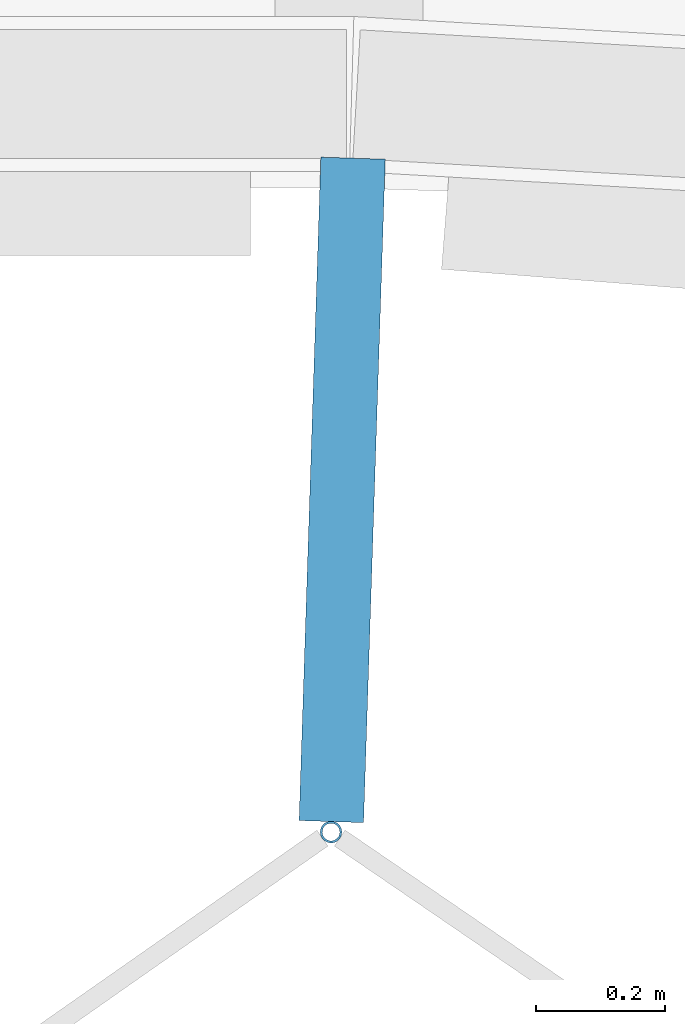
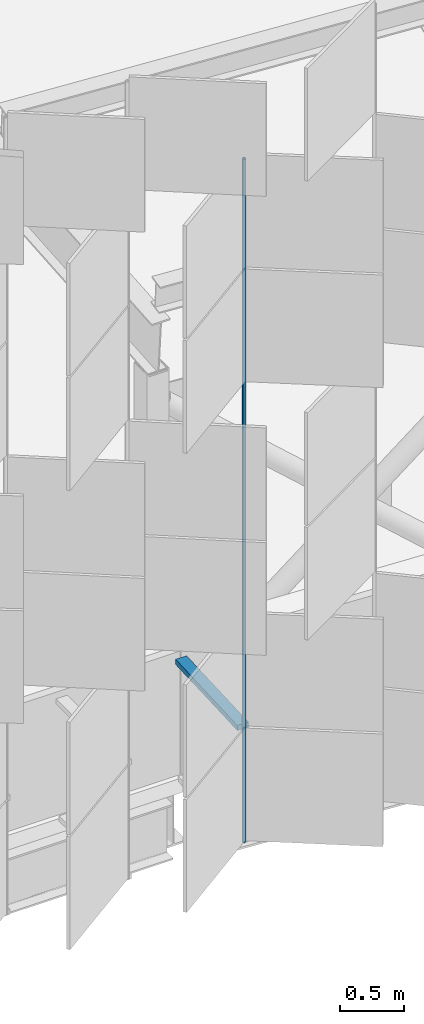
# One storey, part 239 of 483: 2 discrete accessories.
"""IFC4 building model written with IfcOpenShell, lengths in metres."""

import ifcopenshell
import ifcopenshell.guid

model = None  # the IFC model being written
_history = None  # IfcOwnerHistory: only IFC2X3 demands one
_inside = {}  # id of a spatial element -> (the spatial element, [elements in it])
_under = {}  # id of a project, library or spatial element -> (it, [spatial elements below it])
_declared = {}  # id of a project -> (the project, [libraries it declares])
_typed = {}  # id of a type object -> (the type object, [elements of that type])
_made_of = {}  # id of a material, layer set ... -> (it, [elements and type objects made of it])


def new_model(schema):
    """Start an empty IFC model of exactly this schema.

    Asked for "IFC4X3", IfcOpenShell would pick the latest addendum, in which some entities
    have other attributes; the version numbers below select the first issue.
    IFC2X3 requires an IfcOwnerHistory on every rooted entity: one is made here for all.
    """
    global model, _history
    if schema == "IFC4X3":
        model = ifcopenshell.file(schema_version=(4, 3, 0, 0))
    else:
        model = ifcopenshell.file(schema=schema)
    _inside.clear()
    _under.clear()
    _declared.clear()
    _typed.clear()
    _made_of.clear()
    _history = None
    if model.schema == "IFC2X3":
        org = make("IfcOrganization", Name="unknown")
        user = make(
            "IfcPersonAndOrganization",
            ThePerson=make("IfcPerson", FamilyName="unknown"),
            TheOrganization=org,
        )
        app = make(
            "IfcApplication",
            ApplicationDeveloper=org,
            Version="unknown",
            ApplicationFullName="unknown",
            ApplicationIdentifier="unknown",
        )
        _history = make(
            "IfcOwnerHistory",
            OwningUser=user,
            OwningApplication=app,
            ChangeAction="ADDED",
            CreationDate=0,
        )
    return model


def make(cls, **values):
    """One entity of the class cls with the attributes given. An attribute that is None is left unset."""
    return model.create_entity(
        cls, **{name: value for name, value in values.items() if value is not None}
    )


def rooted(cls, **values):
    """An entity with a GlobalId (a new one), such as an element, a storey or a relation."""
    return make(cls, GlobalId=ifcopenshell.guid.new(), OwnerHistory=_history, **values)


def si_unit(unit_type, name, prefix=None):
    """IfcSIUnit, for example si_unit("LENGTHUNIT", "METRE", prefix="MILLI")."""
    return make("IfcSIUnit", UnitType=unit_type, Prefix=prefix, Name=name)


def assignment(units):
    """IfcUnitAssignment: the units of a project."""
    return None if units is None else make("IfcUnitAssignment", Units=units)


def point(xyz):
    """IfcCartesianPoint."""
    return None if xyz is None else make("IfcCartesianPoint", Coordinates=xyz)


def direction(xyz):
    """IfcDirection."""
    return None if xyz is None else make("IfcDirection", DirectionRatios=xyz)


def frame(location, z_axis=None, x_axis=None):
    """IfcAxis2Placement3D, a coordinate frame: its origin and axes. An axis left out is left unset."""
    return make(
        "IfcAxis2Placement3D",
        Location=point(location),
        Axis=direction(z_axis),
        RefDirection=direction(x_axis),
    )


def frame_2d(location, x_axis=None):
    """IfcAxis2Placement2D, a coordinate frame in the plane: its origin and x axis."""
    return make(
        "IfcAxis2Placement2D", Location=point(location), RefDirection=direction(x_axis)
    )


def origin():
    """The frame at (0, 0, 0) with its axes left unset."""
    return frame((0.0, 0.0, 0.0))


def origin_2d():
    """The frame at (0, 0) in the plane with its x axis left unset."""
    return frame_2d((0.0, 0.0))


def place(relative_to, where):
    """IfcLocalPlacement: puts the frame where relative to a parent placement (None: the world)."""
    return make(
        "IfcLocalPlacement", PlacementRelTo=relative_to, RelativePlacement=where
    )


def context(
    kind, dimensions, precision=None, world=None, true_north=None, identifier=None
):
    """IfcGeometricRepresentationContext, for example the 3D "Model" context."""
    return make(
        "IfcGeometricRepresentationContext",
        ContextIdentifier=identifier,
        ContextType=kind,
        CoordinateSpaceDimension=dimensions,
        Precision=precision,
        WorldCoordinateSystem=world,
        TrueNorth=true_north,
    )


def subcontext(parent, identifier, kind, view, scale=None):
    """IfcGeometricRepresentationSubContext, for example "Body" below "Model"."""
    return make(
        "IfcGeometricRepresentationSubContext",
        ContextIdentifier=identifier,
        ContextType=kind,
        ParentContext=parent,
        TargetScale=scale,
        TargetView=view,
    )


def project(units=None, contexts=None):
    """IfcProject with its units and contexts."""
    return rooted(
        "IfcProject",
        Name="project",
        RepresentationContexts=contexts,
        UnitsInContext=assignment(units),
    )


def spatial(cls, under=None, at=None, **own):
    """A site, building, storey or space (cls), placed at a placement, below another one or the project."""
    s = rooted(cls, ObjectPlacement=at, **own)
    if under is not None:
        _under.setdefault(under.id(), (under, []))[1].append(s)
    return s


def profile(cls, at=None, kind="AREA", **sizes):
    """A parametric profile (cls). Its sizes go by their IFC names, for example OverallWidth=200.0."""
    return make(cls, ProfileType=kind, Position=at, **sizes)


def rectangle(**sizes):
    """IfcRectangleProfileDef."""
    return profile("IfcRectangleProfileDef", **sizes)


def hollow_circle(**sizes):
    """IfcCircleHollowProfileDef."""
    return profile("IfcCircleHollowProfileDef", **sizes)


def extrude(swept, where, along, depth):
    """IfcExtrudedAreaSolid: the profile swept, set in the frame where, extruded along a direction by depth."""
    return make(
        "IfcExtrudedAreaSolid",
        SweptArea=swept,
        Position=where,
        ExtrudedDirection=direction(along),
        Depth=depth,
    )


def shape(context_of_items, identifier, shape_type, items):
    """IfcShapeRepresentation: the items that make up one representation, for example the "Body"."""
    return make(
        "IfcShapeRepresentation",
        ContextOfItems=context_of_items,
        RepresentationIdentifier=identifier,
        RepresentationType=shape_type,
        Items=items,
    )


def material(Name=None, Category=None):
    """IfcMaterial."""
    return make("IfcMaterial", Name=Name, Category=Category)


def material_profile(
    of_material, cross_section, Name=None, Category=None, Priority=None
):
    """IfcMaterialProfile: a cross section and its material."""
    return make(
        "IfcMaterialProfile",
        Name=Name,
        Material=of_material,
        Profile=cross_section,
        Priority=Priority,
        Category=Category,
    )


def profile_set(profiles, Name=None, composite=None):
    """IfcMaterialProfileSet."""
    return make(
        "IfcMaterialProfileSet",
        Name=Name,
        MaterialProfiles=profiles,
        CompositeProfile=composite,
    )


def made_of(thing, what):
    """Note that an element or type object is made of a material, layer set ...; save() writes the relation."""
    if what is not None:
        _made_of.setdefault(what.id(), (what, []))[1].append(thing)
    return thing


def type_object(cls, material=None, **own):
    """A type object (cls), such as IfcWallType, which elements share."""
    return made_of(rooted(cls, **own), material)


def element(
    cls,
    number,
    at=None,
    inside=None,
    cuts=None,
    type_object=None,
    material=None,
    context=None,
    identifier="Body",
    shape_type=None,
    held_by="IfcProductDefinitionShape",
    body=None,
    shapes=None,
    **own,
):
    """One element of the class cls, such as IfcWall. Its Tag is "e" and its number.

    at: its placement. inside: the storey or other place that contains it. cuts: it is an
    opening in that element (IfcRelVoidsElement). A single representation is given by context,
    identifier, shape_type and body (its items); several are given by shapes. held_by: the class
    of the entity that holds the representations. save() writes the other relations.
    """
    e = rooted(cls, Tag="e%d" % number, ObjectPlacement=at, **own)
    if body is not None:
        shapes = [shape(context, identifier, shape_type, body)]
    if shapes is not None:
        e.Representation = make(held_by, Representations=shapes)
    if inside is not None:
        _inside.setdefault(inside.id(), (inside, []))[1].append(e)
    if cuts is not None:
        rooted(
            "IfcRelVoidsElement", RelatingBuildingElement=cuts, RelatedOpeningElement=e
        )
    if type_object is not None:
        _typed.setdefault(type_object.id(), (type_object, []))[1].append(e)
    return made_of(e, material)


def aggregate(whole, parts):
    """IfcRelAggregates: a whole, such as a stair, and the parts it consists of."""
    return rooted("IfcRelAggregates", RelatingObject=whole, RelatedObjects=parts)


def save(model, path):
    """Write the relations noted so far, then the file.

    IfcRelAggregates (storeys below a building ...), IfcRelContainedInSpatialStructure (elements
    in a storey), IfcRelDefinesByType, IfcRelAssociatesMaterial and IfcRelDeclares: one each for
    every whole, place, type object, material and project.
    """
    for whole, parts in _under.values():
        aggregate(whole, parts)
    for where, things in _inside.values():
        rooted(
            "IfcRelContainedInSpatialStructure",
            RelatedElements=things,
            RelatingStructure=where,
        )
    for kind, things in _typed.values():
        rooted("IfcRelDefinesByType", RelatedObjects=things, RelatingType=kind)
    for what, things in _made_of.values():
        rooted("IfcRelAssociatesMaterial", RelatedObjects=things, RelatingMaterial=what)
    for by, libraries in _declared.values():
        rooted("IfcRelDeclares", RelatingContext=by, RelatedDefinitions=libraries)
    model.write(path)


model = new_model("IFC4")

# Units and contexts
model_context = context("Model", 3, precision=1e-05, world=origin(), true_north=direction((0.0, 1.0)))
body_context = subcontext(model_context, "Body", "Model", "MODEL_VIEW")
ifc_project = project(units=[si_unit("LENGTHUNIT", "METRE"), si_unit("AREAUNIT", "SQUARE_METRE"), si_unit("VOLUMEUNIT", "CUBIC_METRE"), si_unit("PLANEANGLEUNIT", "RADIAN"), si_unit("MASSUNIT", "GRAM", prefix="KILO")], contexts=[model_context])

# Site, building, storey
site_placement = place(None, origin())
site = spatial("IfcSite", under=ifc_project, at=site_placement, CompositionType="ELEMENT")
building_placement = place(site_placement, origin())
building = spatial("IfcBuilding", under=site, at=building_placement, Name="Parallax Yard Mobility Hub", CompositionType="ELEMENT")
storey_placement = place(building_placement, frame((0.0, 0.0, 13.199951171875)))
storey = spatial("IfcBuildingStorey", under=building, at=storey_placement, Name="L04", CompositionType="ELEMENT", Elevation=13.199951171875)

# Discrete accessories
ifc_material_1 = material(Name="Steel ASTM A36, hot-dip galvanised", Category="steel")
discrete_accessory_type_1 = type_object("IfcDiscreteAccessoryType", Name="Hinge bracket plate 100x50", PredefinedType="BRACKET", material=ifc_material_1)
discrete_accessory_1_placement = place(storey_placement, frame((172.489501953125, 112.031494140625, 1.06982421875), z_axis=(0.0, 0.0, 1.0), x_axis=(-0.032719082822, -0.999464587476, 0.0)))
element("IfcDiscreteAccessory", 1, at=discrete_accessory_1_placement, inside=storey, type_object=discrete_accessory_type_1, Name="Hinge bracket plate bay 18.1 level L04", PredefinedType="BRACKET", context=body_context, shape_type="SweptSolid", body=[
    extrude(rectangle(XDim=1.030029296875, YDim=0.10009765625, at=origin_2d()), origin(), (0.0, 0.0, 1.0), 0.050048828125),
])
ifc_material_2 = material(Name="Steel ASTM A500 Gr C, hot-dip galvanised", Category="steel")
ifc_material_profile = material_profile(ifc_material_2, hollow_circle(Radius=0.016845703125, WallThickness=0.003173828125, at=origin_2d()), Name="CHS 33.7x3.2")
ifc_profile_set = profile_set([ifc_material_profile], Name="Steel ASTM A500 Gr C, hot-dip galvanised")
discrete_accessory_type_2 = type_object("IfcDiscreteAccessoryType", Name="Hinge post CHS 33.7x3.2", PredefinedType="BRACKET", material=ifc_profile_set)
discrete_accessory_2_placement = place(storey_placement, frame((172.47216796875, 111.50048828125, 0.0), z_axis=(0.0, 0.0, 1.0), x_axis=(1.0, 0.0, 0.0)))
element("IfcDiscreteAccessory", 2, at=discrete_accessory_2_placement, inside=storey, type_object=discrete_accessory_type_2, Name="Hinge post bay 18.1 level L04", PredefinedType="BRACKET", context=body_context, shape_type="SweptSolid", body=[
    extrude(hollow_circle(Radius=0.016845703125, WallThickness=0.003173828125, at=origin_2d()), origin(), (0.0, 0.0, 1.0), 6.550048828125),
])

save(model, "model.ifc")
